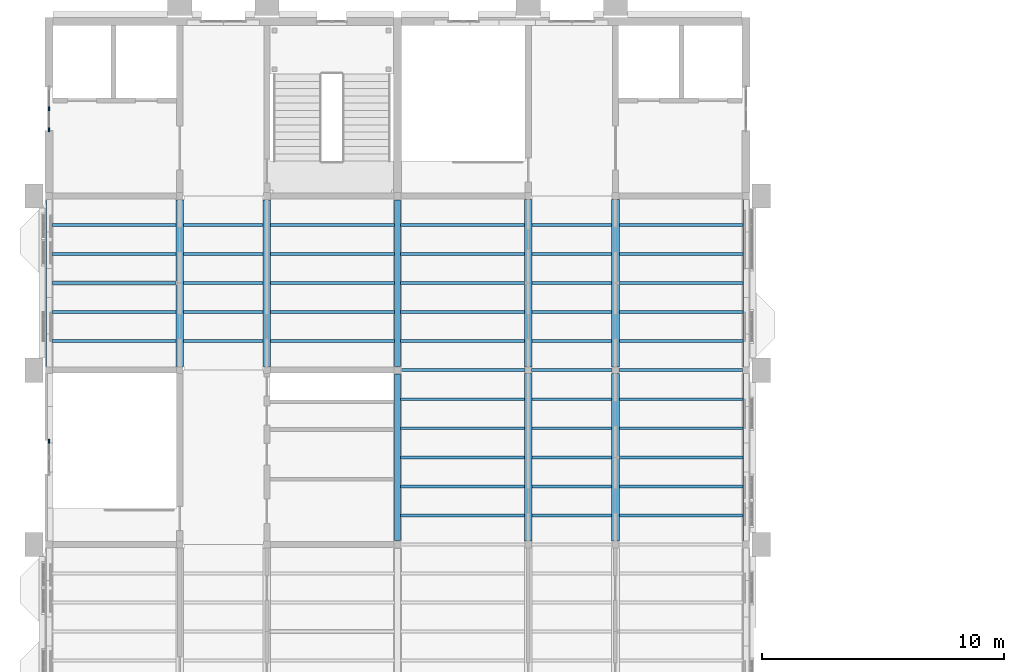
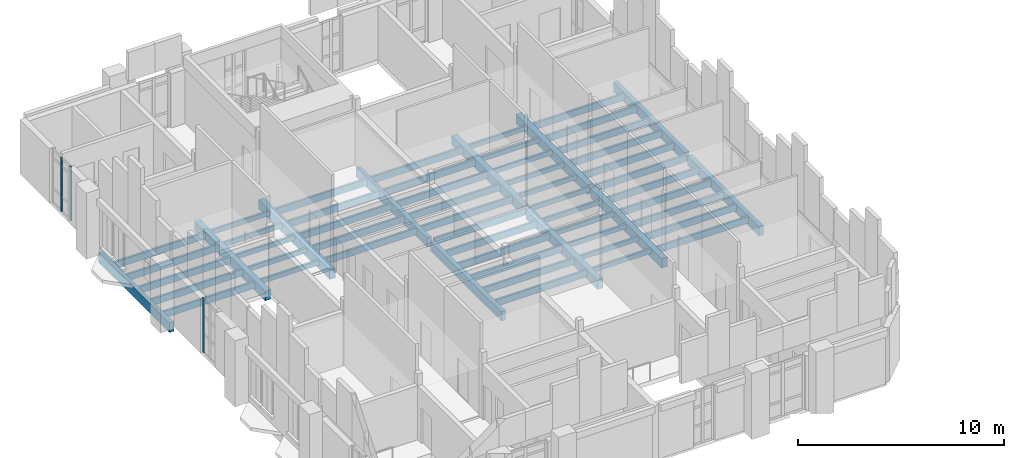
# One storey, part 4 of 51: 59 beams, 3 members, 2 elements without a shape of their own.
"""IFC4 building model written with IfcOpenShell, lengths in metres."""

from ifc_helpers import new_model, si_unit, direction, frame, origin, origin_2d, place, context, subcontext, project, spatial, rectangle, extrude, material, layer, layer_set, material_profile, profile_set, type_object, element, aggregate, save


model = new_model("IFC4")

# Units and contexts
model_context = context("Model", 3, precision=1e-05, world=origin(), true_north=direction((0.0, 1.0)))
body_context = subcontext(model_context, "Body", "Model", "MODEL_VIEW")
ifc_project = project(units=[si_unit("LENGTHUNIT", "METRE"), si_unit("AREAUNIT", "SQUARE_METRE"), si_unit("VOLUMEUNIT", "CUBIC_METRE"), si_unit("PLANEANGLEUNIT", "RADIAN"), si_unit("MASSUNIT", "GRAM", prefix="KILO")], contexts=[model_context])

# Site, building, storey
site_placement = place(None, origin())
site = spatial("IfcSite", under=ifc_project, at=site_placement, CompositionType="ELEMENT")
building_placement = place(site_placement, origin())
building = spatial("IfcBuilding", under=site, at=building_placement, Name="Mazhai Court Health Centre", CompositionType="ELEMENT")
storey_placement = place(building_placement, frame((0.0, 0.0, 14.10009765625)))
storey = spatial("IfcBuildingStorey", under=building, at=storey_placement, Name="L03", CompositionType="ELEMENT", Elevation=14.10009765625)

# Curtain wall, member
ifc_material_1 = material(Name="Teak timber frame, glazed", Category="wood")
ifc_layer_1 = layer(ifc_material_1, 0.10009765625)
ifc_layer_set_1 = layer_set([ifc_layer_1], Name="CURTAIN WALL TIMBER 600")
curtain_wall_type_1 = type_object("IfcCurtainWallType", Name="CURTAIN WALL TIMBER 600", PredefinedType="NOTDEFINED", material=ifc_layer_set_1)
curtain_wall_1_placement = place(storey_placement, origin())
curtain_wall_1 = element("IfcCurtainWall", 1, at=curtain_wall_1_placement, inside=storey, type_object=curtain_wall_type_1, Name="CW-V2-L03-A2", PredefinedType="NOTDEFINED")
ifc_material_2 = material(Name="Teak timber", Category="wood")
ifc_material_profile_1 = material_profile(ifc_material_2, rectangle(XDim=0.06005859375, YDim=0.159912109375, at=origin_2d()), Name="CW MULLION 60x160")
ifc_profile_set_1 = profile_set([ifc_material_profile_1], Name="Teak timber")
member_type = type_object("IfcMemberType", Name="CW MULLION 60x160", PredefinedType="MULLION", material=ifc_profile_set_1)
member_1_placement = place(storey_placement, frame((6.199951171875, 24.8701171875, 0.0), z_axis=(0.0, 0.0, 1.0), x_axis=(-1.0, 0.0, 0.0)))
member_1 = element("IfcMember", 2, at=member_1_placement, type_object=member_type, Name="CW mullion 3", PredefinedType="MULLION", context=body_context, shape_type="SweptSolid", body=[
    extrude(rectangle(XDim=0.06005859375, YDim=0.159912109375, at=origin_2d()), origin(), (0.0, 0.0, 1.0), 3.199951171875),
])
aggregate(curtain_wall_1, [member_1])

# Curtain wall, members
ifc_material_3 = material(Name="Teak timber frame, glazed", Category="wood")
ifc_layer_2 = layer(ifc_material_3, 0.10009765625)
ifc_layer_set_2 = layer_set([ifc_layer_2], Name="CURTAIN WALL TIMBER 900")
curtain_wall_type_2 = type_object("IfcCurtainWallType", Name="CURTAIN WALL TIMBER 900", PredefinedType="NOTDEFINED", material=ifc_layer_set_2)
curtain_wall_2_placement = place(storey_placement, origin())
curtain_wall_2 = element("IfcCurtainWall", 3, at=curtain_wall_2_placement, inside=storey, type_object=curtain_wall_type_2, Name="CW-V2-L03-A4", PredefinedType="NOTDEFINED")
member_2_placement = place(storey_placement, frame((6.199951171875, 37.72998046875, 0.0), z_axis=(0.0, 0.0, 1.0), x_axis=(-1.0, 0.0, 0.0)))
member_2 = element("IfcMember", 4, at=member_2_placement, type_object=member_type, Name="CW mullion 1", PredefinedType="MULLION", context=body_context, shape_type="SweptSolid", body=[
    extrude(rectangle(XDim=0.06005859375, YDim=0.159912109375, at=origin_2d()), origin(), (0.0, 0.0, 1.0), 3.199951171875),
])
member_3_placement = place(storey_placement, frame((6.199951171875, 38.60009765625, 0.0), z_axis=(0.0, 0.0, 1.0), x_axis=(-1.0, 0.0, 0.0)))
member_3 = element("IfcMember", 5, at=member_3_placement, type_object=member_type, Name="CW mullion 2", PredefinedType="MULLION", context=body_context, shape_type="SweptSolid", body=[
    extrude(rectangle(XDim=0.06005859375, YDim=0.159912109375, at=origin_2d()), origin(), (0.0, 0.0, 1.0), 3.199951171875),
])
aggregate(curtain_wall_2, [member_2, member_3])

# Beams
ifc_material_4 = material(Name="Glulam GL24h", Category="wood")
ifc_material_profile_2 = material_profile(ifc_material_4, rectangle(XDim=0.1201171875, YDim=0.280029296875, at=origin_2d()), Name="GL24h 120x280")
ifc_profile_set_2 = profile_set([ifc_material_profile_2], Name="Glulam GL24h")
beam_type_1 = type_object("IfcBeamType", Name="GL24h 120x280 joist", PredefinedType="JOIST", material=ifc_profile_set_2)
for number, where, z_axis, x_axis, name in (
    (6, (11.760009765625, 29.0, -0.260009765625), (1.0, 0.0, 0.0), (0.0, 1.0, 0.0), "joist-V2-L03-3-B1"),
    (7, (11.760009765625, 30.199951171875, -0.260009765625), (1.0, 0.0, 0.0), (0.0, 1.0, 0.0), "joist-V2-L03-3-B2"),
    (8, (11.760009765625, 31.39990234375, -0.260009765625), (1.0, 0.0, 0.0), (0.0, 1.0, 0.0), "joist-V2-L03-3-B3"),
    (9, (11.760009765625, 32.60009765625, -0.260009765625), (1.0, 0.0, 0.0), (0.0, 1.0, 0.0), "joist-V2-L03-3-B4"),
    (10, (11.760009765625, 33.800048828125, -0.260009765625), (1.0, 0.0, 0.0), (0.0, 1.0, 0.0), "joist-V2-L03-3-B5"),
    (11, (26.159912109375, 21.800048828125, -0.260009765625), (1.0, 0.0, 0.0), (0.0, 1.0, 0.0), "joist-V5-L03-2-B1"),
    (12, (26.159912109375, 23.0, -0.260009765625), (1.0, 0.0, 0.0), (0.0, 1.0, 0.0), "joist-V5-L03-2-B2"),
    (13, (26.159912109375, 24.199951171875, -0.260009765625), (1.0, 0.0, 0.0), (0.0, 1.0, 0.0), "joist-V5-L03-2-B3"),
    (14, (26.159912109375, 25.39990234375, -0.260009765625), (1.0, 0.0, 0.0), (0.0, 1.0, 0.0), "joist-V5-L03-2-B4"),
    (15, (26.159912109375, 26.60009765625, -0.260009765625), (1.0, 0.0, 0.0), (0.0, 1.0, 0.0), "joist-V5-L03-2-B5"),
):
    element("IfcBeam", number, at=place(storey_placement, frame(where, z_axis=z_axis, x_axis=x_axis)), inside=storey, type_object=beam_type_1, Name=name, PredefinedType="JOIST", context=body_context, shape_type="SweptSolid", body=[
        extrude(rectangle(XDim=0.1201171875, YDim=0.280029296875, at=origin_2d()), origin(), (0.0, 0.0, 1.0), 3.280029296875),
    ])
beam_1_placement = place(storey_placement, frame((26.139892578125, 27.800048828125, -0.260009765625), z_axis=(1.0, 0.0, 0.0), x_axis=(0.0, 1.0, 0.0)))
element("IfcBeam", 16, at=beam_1_placement, inside=storey, type_object=beam_type_1, Name="joist-V5-L03-3-B0", PredefinedType="JOIST", context=body_context, shape_type="SweptSolid", body=[
    extrude(rectangle(XDim=0.1201171875, YDim=0.280029296875, at=origin_2d()), origin(), (0.0, 0.0, 1.0), 3.320068359375),
])
for number, where, z_axis, x_axis, name in (
    (17, (26.159912109375, 29.0, -0.260009765625), (1.0, 0.0, 0.0), (0.0, 1.0, 0.0), "joist-V5-L03-3-B1"),
    (18, (26.159912109375, 30.199951171875, -0.260009765625), (1.0, 0.0, 0.0), (0.0, 1.0, 0.0), "joist-V5-L03-3-B2"),
    (19, (26.159912109375, 31.39990234375, -0.260009765625), (1.0, 0.0, 0.0), (0.0, 1.0, 0.0), "joist-V5-L03-3-B3"),
    (20, (26.159912109375, 32.60009765625, -0.260009765625), (1.0, 0.0, 0.0), (0.0, 1.0, 0.0), "joist-V5-L03-3-B4"),
    (21, (26.159912109375, 33.800048828125, -0.260009765625), (1.0, 0.0, 0.0), (0.0, 1.0, 0.0), "joist-V5-L03-3-B5"),
):
    element("IfcBeam", number, at=place(storey_placement, frame(where, z_axis=z_axis, x_axis=x_axis)), inside=storey, type_object=beam_type_1, Name=name, PredefinedType="JOIST", context=body_context, shape_type="SweptSolid", body=[
        extrude(rectangle(XDim=0.1201171875, YDim=0.280029296875, at=origin_2d()), origin(), (0.0, 0.0, 1.0), 3.280029296875),
    ])
ifc_material_5 = material(Name="Glulam GL24h", Category="wood")
ifc_material_profile_3 = material_profile(ifc_material_5, rectangle(XDim=0.1201171875, YDim=0.39990234375, at=origin_2d()), Name="GL24h 120x400")
ifc_profile_set_3 = profile_set([ifc_material_profile_3], Name="Glulam GL24h")
beam_type_2 = type_object("IfcBeamType", Name="GL24h 120x400 joist", PredefinedType="JOIST", material=ifc_profile_set_3)
for number, where, z_axis, x_axis, name in (
    (22, (6.320068359375, 29.0, -0.320068359375), (1.0, 0.0, 0.0), (0.0, 1.0, 0.0), "joist-V2-L03-3-A1"),
    (23, (6.320068359375, 30.199951171875, -0.320068359375), (1.0, 0.0, 0.0), (0.0, 1.0, 0.0), "joist-V2-L03-3-A2"),
    (24, (6.320068359375, 31.39990234375, -0.320068359375), (1.0, 0.0, 0.0), (0.0, 1.0, 0.0), "joist-V2-L03-3-A3"),
    (25, (6.320068359375, 32.60009765625, -0.320068359375), (1.0, 0.0, 0.0), (0.0, 1.0, 0.0), "joist-V2-L03-3-A4"),
    (26, (6.320068359375, 33.800048828125, -0.320068359375), (1.0, 0.0, 0.0), (0.0, 1.0, 0.0), "joist-V2-L03-3-A5"),
    (27, (15.360107421875, 29.0, -0.320068359375), (1.0, 0.0, 0.0), (0.0, 1.0, 0.0), "joist-V2-L03-3-C1"),
    (28, (15.360107421875, 30.199951171875, -0.320068359375), (1.0, 0.0, 0.0), (0.0, 1.0, 0.0), "joist-V2-L03-3-C2"),
    (29, (15.360107421875, 31.39990234375, -0.320068359375), (1.0, 0.0, 0.0), (0.0, 1.0, 0.0), "joist-V2-L03-3-C3"),
    (30, (15.360107421875, 32.60009765625, -0.320068359375), (1.0, 0.0, 0.0), (0.0, 1.0, 0.0), "joist-V2-L03-3-C4"),
    (31, (15.360107421875, 33.800048828125, -0.320068359375), (1.0, 0.0, 0.0), (0.0, 1.0, 0.0), "joist-V2-L03-3-C5"),
):
    element("IfcBeam", number, at=place(storey_placement, frame(where, z_axis=z_axis, x_axis=x_axis)), inside=storey, type_object=beam_type_2, Name=name, PredefinedType="JOIST", context=body_context, shape_type="SweptSolid", body=[
        extrude(rectangle(XDim=0.1201171875, YDim=0.39990234375, at=origin_2d()), origin(), (0.0, 0.0, 1.0), 5.119873046875),
    ])
for number, where, z_axis, x_axis, name in (
    (32, (20.719970703125, 21.800048828125, -0.320068359375), (1.0, 0.0, 0.0), (0.0, 1.0, 0.0), "joist-V5-L03-2-A1"),
    (33, (20.719970703125, 23.0, -0.320068359375), (1.0, 0.0, 0.0), (0.0, 1.0, 0.0), "joist-V5-L03-2-A2"),
    (34, (20.719970703125, 24.199951171875, -0.320068359375), (1.0, 0.0, 0.0), (0.0, 1.0, 0.0), "joist-V5-L03-2-A3"),
    (35, (20.719970703125, 25.39990234375, -0.320068359375), (1.0, 0.0, 0.0), (0.0, 1.0, 0.0), "joist-V5-L03-2-A4"),
    (36, (20.719970703125, 26.60009765625, -0.320068359375), (1.0, 0.0, 0.0), (0.0, 1.0, 0.0), "joist-V5-L03-2-A5"),
):
    element("IfcBeam", number, at=place(storey_placement, frame(where, z_axis=z_axis, x_axis=x_axis)), inside=storey, type_object=beam_type_2, Name=name, PredefinedType="JOIST", context=body_context, shape_type="SweptSolid", body=[
        extrude(rectangle(XDim=0.1201171875, YDim=0.39990234375, at=origin_2d()), origin(), (0.0, 0.0, 1.0), 5.1201171875),
    ])
for number, where, z_axis, x_axis, name in (
    (37, (29.760009765625, 21.800048828125, -0.320068359375), (1.0, 0.0, 0.0), (0.0, 1.0, 0.0), "joist-V5-L03-2-C1"),
    (38, (29.760009765625, 23.0, -0.320068359375), (1.0, 0.0, 0.0), (0.0, 1.0, 0.0), "joist-V5-L03-2-C2"),
    (39, (29.760009765625, 24.199951171875, -0.320068359375), (1.0, 0.0, 0.0), (0.0, 1.0, 0.0), "joist-V5-L03-2-C3"),
    (40, (29.760009765625, 25.39990234375, -0.320068359375), (1.0, 0.0, 0.0), (0.0, 1.0, 0.0), "joist-V5-L03-2-C4"),
    (41, (29.760009765625, 26.60009765625, -0.320068359375), (1.0, 0.0, 0.0), (0.0, 1.0, 0.0), "joist-V5-L03-2-C5"),
):
    element("IfcBeam", number, at=place(storey_placement, frame(where, z_axis=z_axis, x_axis=x_axis)), inside=storey, type_object=beam_type_2, Name=name, PredefinedType="JOIST", context=body_context, shape_type="SweptSolid", body=[
        extrude(rectangle(XDim=0.1201171875, YDim=0.39990234375, at=origin_2d()), origin(), (0.0, 0.0, 1.0), 5.119873046875),
    ])
beam_2_placement = place(storey_placement, frame((20.760009765625, 27.800048828125, -0.320068359375), z_axis=(1.0, 0.0, 0.0), x_axis=(0.0, 1.0, 0.0)))
element("IfcBeam", 42, at=beam_2_placement, inside=storey, type_object=beam_type_2, Name="joist-V5-L03-3-A0", PredefinedType="JOIST", context=body_context, shape_type="SweptSolid", body=[
    extrude(rectangle(XDim=0.1201171875, YDim=0.39990234375, at=origin_2d()), origin(), (0.0, 0.0, 1.0), 5.10009765625),
])
for number, where, z_axis, x_axis, name in (
    (43, (20.719970703125, 29.0, -0.320068359375), (1.0, 0.0, 0.0), (0.0, 1.0, 0.0), "joist-V5-L03-3-A1"),
    (44, (20.719970703125, 30.199951171875, -0.320068359375), (1.0, 0.0, 0.0), (0.0, 1.0, 0.0), "joist-V5-L03-3-A2"),
    (45, (20.719970703125, 31.39990234375, -0.320068359375), (1.0, 0.0, 0.0), (0.0, 1.0, 0.0), "joist-V5-L03-3-A3"),
    (46, (20.719970703125, 32.60009765625, -0.320068359375), (1.0, 0.0, 0.0), (0.0, 1.0, 0.0), "joist-V5-L03-3-A4"),
    (47, (20.719970703125, 33.800048828125, -0.320068359375), (1.0, 0.0, 0.0), (0.0, 1.0, 0.0), "joist-V5-L03-3-A5"),
    (48, (29.739990234375, 27.800048828125, -0.320068359375), (1.0, 0.0, 0.0), (0.0, 1.0, 0.0), "joist-V5-L03-3-C0"),
):
    element("IfcBeam", number, at=place(storey_placement, frame(where, z_axis=z_axis, x_axis=x_axis)), inside=storey, type_object=beam_type_2, Name=name, PredefinedType="JOIST", context=body_context, shape_type="SweptSolid", body=[
        extrude(rectangle(XDim=0.1201171875, YDim=0.39990234375, at=origin_2d()), origin(), (0.0, 0.0, 1.0), 5.1201171875),
    ])
for number, where, z_axis, x_axis, name in (
    (49, (29.760009765625, 29.0, -0.320068359375), (1.0, 0.0, 0.0), (0.0, 1.0, 0.0), "joist-V5-L03-3-C1"),
    (50, (29.760009765625, 30.199951171875, -0.320068359375), (1.0, 0.0, 0.0), (0.0, 1.0, 0.0), "joist-V5-L03-3-C2"),
    (51, (29.760009765625, 31.39990234375, -0.320068359375), (1.0, 0.0, 0.0), (0.0, 1.0, 0.0), "joist-V5-L03-3-C3"),
    (52, (29.760009765625, 32.60009765625, -0.320068359375), (1.0, 0.0, 0.0), (0.0, 1.0, 0.0), "joist-V5-L03-3-C4"),
    (53, (29.760009765625, 33.800048828125, -0.320068359375), (1.0, 0.0, 0.0), (0.0, 1.0, 0.0), "joist-V5-L03-3-C5"),
):
    element("IfcBeam", number, at=place(storey_placement, frame(where, z_axis=z_axis, x_axis=x_axis)), inside=storey, type_object=beam_type_2, Name=name, PredefinedType="JOIST", context=body_context, shape_type="SweptSolid", body=[
        extrude(rectangle(XDim=0.1201171875, YDim=0.39990234375, at=origin_2d()), origin(), (0.0, 0.0, 1.0), 5.119873046875),
    ])
ifc_material_6 = material(Name="Glulam GL28h", Category="wood")
ifc_material_profile_4 = material_profile(ifc_material_6, rectangle(XDim=0.239990234375, YDim=0.56005859375, at=origin_2d()), Name="GL28h 240x560")
ifc_profile_set_4 = profile_set([ifc_material_profile_4], Name="Glulam GL28h")
beam_type_3 = type_object("IfcBeamType", Name="GL28h 240x560 beam", PredefinedType="BEAM", material=ifc_profile_set_4)
for number, where, z_axis, x_axis, name in (
    (54, (6.199951171875, 27.9599609375, -0.400146484375), (0.0, 1.0, 0.0), (-1.0, 0.0, 0.0), "beam-V2-L03-3-A"),
    (55, (20.60009765625, 27.9599609375, -0.400146484375), (0.0, 1.0, 0.0), (-1.0, 0.0, 0.0), "beam-V2-L03-3-D"),
):
    element("IfcBeam", number, at=place(storey_placement, frame(where, z_axis=z_axis, x_axis=x_axis)), inside=storey, type_object=beam_type_3, Name=name, PredefinedType="BEAM", context=body_context, shape_type="SweptSolid", body=[
        extrude(rectangle(XDim=0.239990234375, YDim=0.56005859375, at=origin_2d()), origin(), (0.0, 0.0, 1.0), 6.880126953125),
    ])
beam_3_placement = place(storey_placement, frame((20.60009765625, 20.760009765625, -0.400146484375), z_axis=(0.0, 1.0, 0.0), x_axis=(-1.0, 0.0, 0.0)))
element("IfcBeam", 56, at=beam_3_placement, inside=storey, type_object=beam_type_3, Name="beam-V5-L03-2-A", PredefinedType="BEAM", context=body_context, shape_type="SweptSolid", body=[
    extrude(rectangle(XDim=0.239990234375, YDim=0.56005859375, at=origin_2d()), origin(), (0.0, 0.0, 1.0), 6.8798828125),
])
beam_4_placement = place(storey_placement, frame((35.0, 20.739990234375, -0.400146484375), z_axis=(0.0, 1.0, 0.0), x_axis=(-1.0, 0.0, 0.0)))
element("IfcBeam", 57, at=beam_4_placement, inside=storey, type_object=beam_type_3, Name="beam-V5-L03-2-D", PredefinedType="BEAM", context=body_context, shape_type="SweptSolid", body=[
    extrude(rectangle(XDim=0.239990234375, YDim=0.56005859375, at=origin_2d()), origin(), (0.0, 0.0, 1.0), 6.919921875),
])
beam_5_placement = place(storey_placement, frame((35.0, 27.93994140625, -0.400146484375), z_axis=(0.0, 1.0, 0.0), x_axis=(-1.0, 0.0, 0.0)))
element("IfcBeam", 58, at=beam_5_placement, inside=storey, type_object=beam_type_3, Name="beam-V5-L03-3-D", PredefinedType="BEAM", context=body_context, shape_type="SweptSolid", body=[
    extrude(rectangle(XDim=0.239990234375, YDim=0.56005859375, at=origin_2d()), origin(), (0.0, 0.0, 1.0), 6.920166015625),
])
ifc_material_7 = material(Name="Glulam GL28h", Category="wood")
ifc_material_profile_5 = material_profile(ifc_material_7, rectangle(XDim=0.320068359375, YDim=0.56005859375, at=origin_2d()), Name="GL28h 320x560")
ifc_profile_set_5 = profile_set([ifc_material_profile_5], Name="Glulam GL28h")
beam_type_4 = type_object("IfcBeamType", Name="GL28h 320x560 beam", PredefinedType="BEAM", material=ifc_profile_set_5)
for number, where, z_axis, x_axis, name in (
    (59, (11.60009765625, 27.9599609375, -0.400146484375), (0.0, 1.0, 0.0), (-1.0, 0.0, 0.0), "beam-V2-L03-3-B"),
    (60, (15.199951171875, 27.9599609375, -0.400146484375), (0.0, 1.0, 0.0), (-1.0, 0.0, 0.0), "beam-V2-L03-3-C"),
):
    element("IfcBeam", number, at=place(storey_placement, frame(where, z_axis=z_axis, x_axis=x_axis)), inside=storey, type_object=beam_type_4, Name=name, PredefinedType="BEAM", context=body_context, shape_type="SweptSolid", body=[
        extrude(rectangle(XDim=0.320068359375, YDim=0.56005859375, at=origin_2d()), origin(), (0.0, 0.0, 1.0), 6.880126953125),
    ])
for number, where, z_axis, x_axis, name in (
    (61, (26.0, 20.739990234375, -0.400146484375), (0.0, 1.0, 0.0), (-1.0, 0.0, 0.0), "beam-V5-L03-2-B"),
    (62, (29.60009765625, 20.739990234375, -0.400146484375), (0.0, 1.0, 0.0), (-1.0, 0.0, 0.0), "beam-V5-L03-2-C"),
):
    element("IfcBeam", number, at=place(storey_placement, frame(where, z_axis=z_axis, x_axis=x_axis)), inside=storey, type_object=beam_type_4, Name=name, PredefinedType="BEAM", context=body_context, shape_type="SweptSolid", body=[
        extrude(rectangle(XDim=0.320068359375, YDim=0.56005859375, at=origin_2d()), origin(), (0.0, 0.0, 1.0), 6.919921875),
    ])
for number, where, z_axis, x_axis, name in (
    (63, (26.0, 27.93994140625, -0.400146484375), (0.0, 1.0, 0.0), (-1.0, 0.0, 0.0), "beam-V5-L03-3-B"),
    (64, (29.60009765625, 27.93994140625, -0.400146484375), (0.0, 1.0, 0.0), (-1.0, 0.0, 0.0), "beam-V5-L03-3-C"),
):
    element("IfcBeam", number, at=place(storey_placement, frame(where, z_axis=z_axis, x_axis=x_axis)), inside=storey, type_object=beam_type_4, Name=name, PredefinedType="BEAM", context=body_context, shape_type="SweptSolid", body=[
        extrude(rectangle(XDim=0.320068359375, YDim=0.56005859375, at=origin_2d()), origin(), (0.0, 0.0, 1.0), 6.920166015625),
    ])

save(model, "model.ifc")
